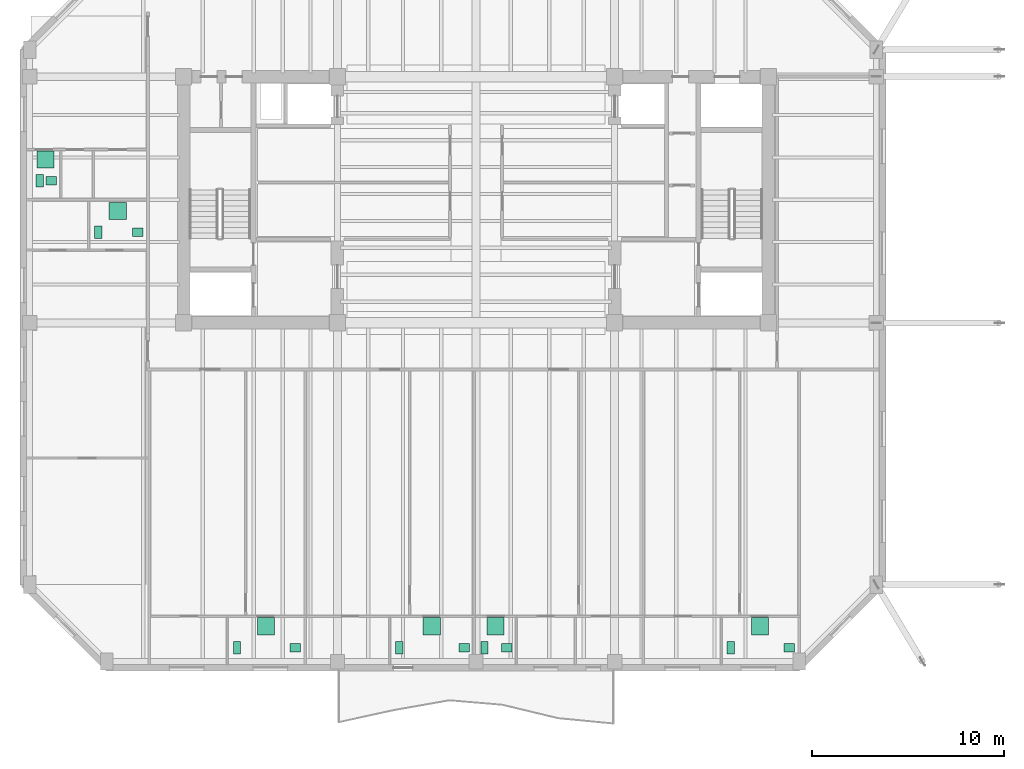
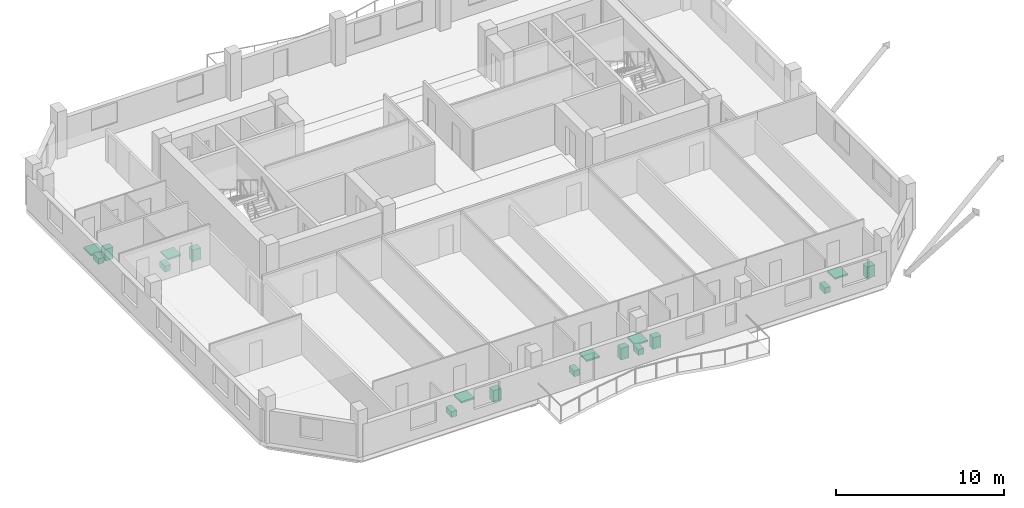
# One storey, part 12 of 12: 18 sanitary terminals.
"""IFC4 building model written with IfcOpenShell, lengths in metres."""

from ifc_helpers import new_model, si_unit, direction, frame, origin, origin_2d, place, context, subcontext, project, spatial, rectangle, extrude, material, type_object, element, save


model = new_model("IFC4")

# Units and contexts
model_context = context("Model", 3, precision=1e-05, world=origin(), true_north=direction((0.0, 1.0)))
body_context = subcontext(model_context, "Body", "Model", "MODEL_VIEW")
ifc_project = project(units=[si_unit("LENGTHUNIT", "METRE"), si_unit("AREAUNIT", "SQUARE_METRE"), si_unit("VOLUMEUNIT", "CUBIC_METRE"), si_unit("PLANEANGLEUNIT", "RADIAN"), si_unit("MASSUNIT", "GRAM", prefix="KILO")], contexts=[model_context])

# Site, building, storey
site_placement = place(None, origin())
site = spatial("IfcSite", under=ifc_project, at=site_placement, CompositionType="ELEMENT")
building_placement = place(site_placement, origin())
building = spatial("IfcBuilding", under=site, at=building_placement, Name="Kranthara Brick Stack", CompositionType="ELEMENT")
storey_placement = place(building_placement, frame((0.0, 0.0, 224.5)))
storey = spatial("IfcBuildingStorey", under=building, at=storey_placement, Name="L58", CompositionType="ELEMENT", Elevation=224.5)

# Sanitary terminals
ifc_material_1 = material(Name="Vitreous china sanitary porcelain", Category="other")
sanitary_terminal_type_1 = type_object("IfcSanitaryTerminalType", Name="SAN-BASIN", PredefinedType="WASHHANDBASIN", material=ifc_material_1)
for number, where, z_axis, x_axis, name in (
    (1, (18.596923828125, 3.925048828125, 0.0), (0.0, 0.0, 1.0), (1.0, 0.0, 0.0), "L58 Washbasin 314"),
    (2, (27.3798828125, 3.925048828125, 0.0), (0.0, 0.0, 1.0), (1.0, 0.0, 0.0), "L58 Washbasin 315"),
    (3, (29.590087890625, 3.925048828125, 0.0), (0.0, 0.0, 1.0), (1.0, 0.0, 0.0), "L58 Washbasin 316"),
    (4, (44.27001953125, 3.925048828125, 0.0), (0.0, 0.0, 1.0), (1.0, 0.0, 0.0), "L58 Washbasin 317"),
    (5, (10.409912109375, 25.514892578125, 0.0), (0.0, 0.0, 1.0), (1.0, 0.0, 0.0), "L58 Washbasin 318"),
    (6, (5.925048828125, 28.18505859375, 0.0), (0.0, 0.0, 1.0), (1.0, 0.0, 0.0), "L58 Washbasin 319"),
):
    element("IfcSanitaryTerminal", number, at=place(storey_placement, frame(where, z_axis=z_axis, x_axis=x_axis)), inside=storey, type_object=sanitary_terminal_type_1, Name=name, PredefinedType="WASHHANDBASIN", context=body_context, shape_type="SweptSolid", body=[
        extrude(rectangle(XDim=0.550048828125, YDim=0.449951171875, at=origin_2d()), origin(), (0.0, 0.0, 1.0), 0.85009765625),
    ])
ifc_material_2 = material(Name="Acrylic and porcelain shower tray", Category="other")
sanitary_terminal_type_2 = type_object("IfcSanitaryTerminalType", Name="SAN-SHOWER", PredefinedType="SHOWER", material=ifc_material_2)
for number, where, z_axis, x_axis, name in (
    (7, (17.0849609375, 5.030029296875, 0.0), (0.0, 0.0, 1.0), (1.0, 0.0, 0.0), "L58 Shower Tray 314"),
    (8, (25.698974609375, 5.030029296875, 0.0), (0.0, 0.0, 1.0), (1.0, 0.0, 0.0), "L58 Shower Tray 315"),
    (9, (29.014892578125, 5.030029296875, 0.0), (0.0, 0.0, 1.0), (1.0, 0.0, 0.0), "L58 Shower Tray 316"),
    (10, (42.758056640625, 5.030029296875, 0.0), (0.0, 0.0, 1.0), (1.0, 0.0, 0.0), "L58 Shower Tray 317"),
    (11, (9.386962890625, 26.6201171875, 0.0), (0.0, 0.0, 1.0), (1.0, 0.0, 0.0), "L58 Shower Tray 318"),
    (12, (5.623046875, 29.2900390625, 0.0), (0.0, 0.0, 1.0), (1.0, 0.0, 0.0), "L58 Shower Tray 319"),
):
    element("IfcSanitaryTerminal", number, at=place(storey_placement, frame(where, z_axis=z_axis, x_axis=x_axis)), inside=storey, type_object=sanitary_terminal_type_2, Name=name, PredefinedType="SHOWER", context=body_context, shape_type="SweptSolid", body=[
        extrude(rectangle(XDim=0.89990234375, YDim=0.89990234375, at=origin_2d()), origin(), (0.0, 0.0, 1.0), 0.1201171875),
    ])
ifc_material_3 = material(Name="Vitreous china sanitary porcelain", Category="other")
sanitary_terminal_type_3 = type_object("IfcSanitaryTerminalType", Name="SAN-WC-PAN", PredefinedType="TOILETPAN", material=ifc_material_3)
for number, where, z_axis, x_axis, name in (
    (13, (15.572998046875, 3.925048828125, 0.0), (0.0, 0.0, 1.0), (1.0, 0.0, 0.0), "L58 WC Pan 314"),
    (14, (24.01806640625, 3.925048828125, 0.0), (0.0, 0.0, 1.0), (1.0, 0.0, 0.0), "L58 WC Pan 315"),
    (15, (28.43994140625, 3.925048828125, 0.0), (0.0, 0.0, 1.0), (1.0, 0.0, 0.0), "L58 WC Pan 316"),
    (16, (41.24609375, 3.925048828125, 0.0), (0.0, 0.0, 1.0), (1.0, 0.0, 0.0), "L58 WC Pan 317"),
    (17, (8.364990234375, 25.514892578125, 0.0), (0.0, 0.0, 1.0), (1.0, 0.0, 0.0), "L58 WC Pan 318"),
    (18, (5.320068359375, 28.18505859375, 0.0), (0.0, 0.0, 1.0), (1.0, 0.0, 0.0), "L58 WC Pan 319"),
):
    element("IfcSanitaryTerminal", number, at=place(storey_placement, frame(where, z_axis=z_axis, x_axis=x_axis)), inside=storey, type_object=sanitary_terminal_type_3, Name=name, PredefinedType="TOILETPAN", context=body_context, shape_type="SweptSolid", body=[
        extrude(rectangle(XDim=0.3798828125, YDim=0.64990234375, at=origin_2d()), origin(), (0.0, 0.0, 1.0), 0.419921875),
    ])

save(model, "model.ifc")
